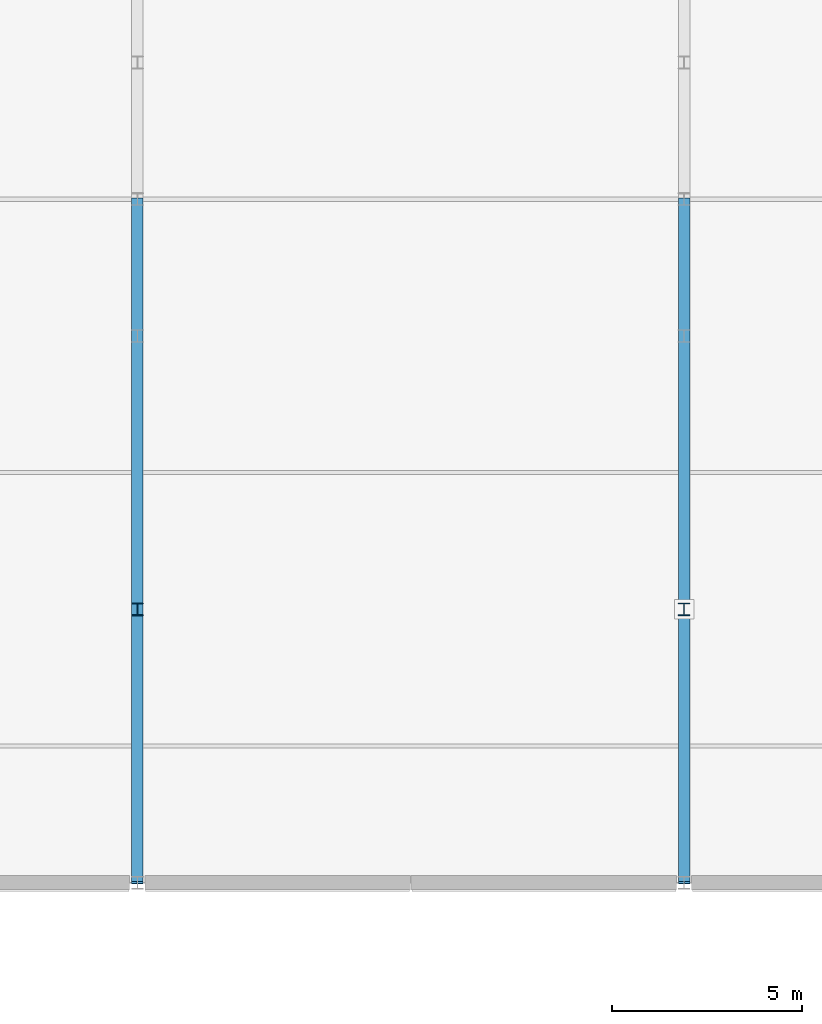
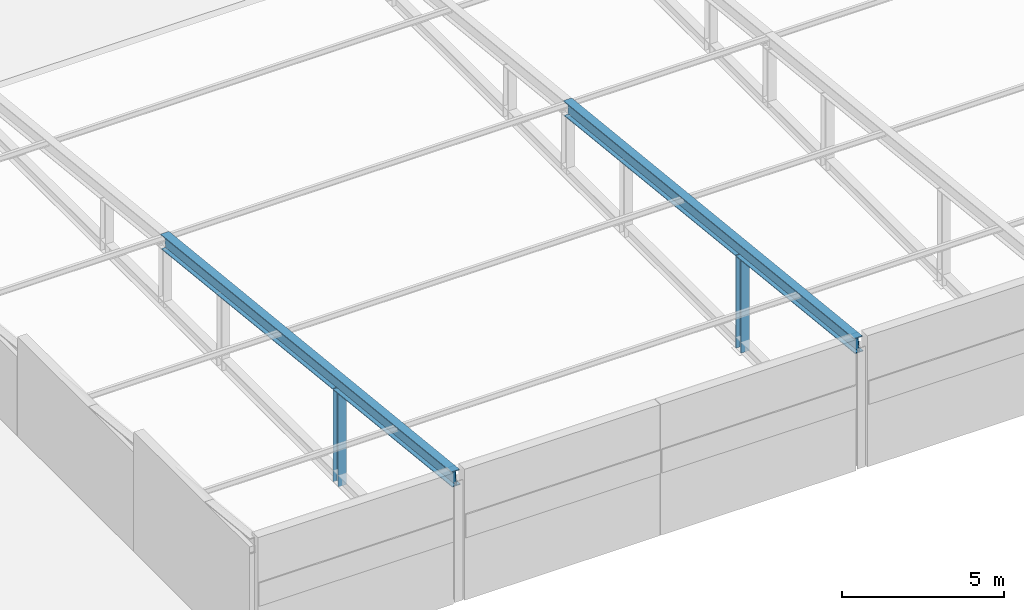
# One storey, part 20 of 103: 4 members.
"""IFC4 building model written with IfcOpenShell, lengths in metres."""

from ifc_helpers import new_model, si_unit, direction, frame, origin, origin_2d, place, context, subcontext, project, spatial, i_section, extrude, material, material_profile, profile_set, type_object, element, save


model = new_model("IFC4")

# Units and contexts
model_context = context("Model", 3, precision=1e-05, world=origin(), true_north=direction((0.0, 1.0)))
body_context = subcontext(model_context, "Body", "Model", "MODEL_VIEW")
ifc_project = project(units=[si_unit("LENGTHUNIT", "METRE"), si_unit("AREAUNIT", "SQUARE_METRE"), si_unit("VOLUMEUNIT", "CUBIC_METRE"), si_unit("PLANEANGLEUNIT", "RADIAN"), si_unit("MASSUNIT", "GRAM", prefix="KILO")], contexts=[model_context])

# Site, building, storey
site_placement = place(None, origin())
site = spatial("IfcSite", under=ifc_project, at=site_placement, CompositionType="ELEMENT")
building_placement = place(site_placement, origin())
building = spatial("IfcBuilding", under=site, at=building_placement, Name="Thalmaran Polytechnic", CompositionType="ELEMENT")
storey_placement = place(building_placement, frame((0.0, 0.0, 14.39990234375)))
storey = spatial("IfcBuildingStorey", under=building, at=storey_placement, Name="L03", CompositionType="ELEMENT", Elevation=14.39990234375)

# Members
ifc_material = material(Name="Steel S355", Category="steel")
ifc_material_profile_1 = material_profile(ifc_material, i_section(OverallWidth=0.300048828125, OverallDepth=0.550048828125, WebThickness=0.014892578125, FlangeThickness=0.029052734375, at=origin_2d()), Name="HEB 550")
ifc_profile_set_1 = profile_set([ifc_material_profile_1], Name="Steel S355")
member_type_1 = type_object("IfcMemberType", Name="MB-RAF1", PredefinedType="RAFTER", material=ifc_profile_set_1)
for number, where, z_axis, x_axis, name in (
    (1, (64.800048828125, 0.0, 4.550048828125), (0.0, 0.994329747654, -0.10634073975), (-1.0, 0.0, 0.0), "Lecture Raked Roof Rafter South G09"),
    (2, (79.199951171875, 0.0, 4.550048828125), (0.0, 0.994329747654, -0.10634073975), (-1.0, 0.0, 0.0), "Lecture Raked Roof Rafter South G11"),
):
    element("IfcMember", number, at=place(storey_placement, frame(where, z_axis=z_axis, x_axis=x_axis)), inside=storey, type_object=member_type_1, Name=name, PredefinedType="RAFTER", context=body_context, shape_type="SweptSolid", body=[
        extrude(i_section(OverallWidth=0.300048828125, OverallDepth=0.550048828125, WebThickness=0.014892578125, FlangeThickness=0.029052734375, at=origin_2d()), origin(), (0.0, 0.0, 1.0), 18.1025390625),
    ])
ifc_material_profile_2 = material_profile(ifc_material, i_section(OverallWidth=0.300048828125, OverallDepth=0.330078125, WebThickness=0.009521484375, FlangeThickness=0.0166015625, at=origin_2d()), Name="HEA 340")
ifc_profile_set_2 = profile_set([ifc_material_profile_2], Name="Steel S355")
member_type_2 = type_object("IfcMemberType", Name="MB-TRS1", PredefinedType="STRUT", material=ifc_profile_set_2)
member_1_placement = place(storey_placement, frame((64.800048828125, 7.199951171875, 0.0), z_axis=(0.0, 0.0, 1.0), x_axis=(1.0, 0.0, 0.0)))
element("IfcMember", 3, at=member_1_placement, inside=storey, type_object=member_type_2, Name="Lecture Truss Web Strut G09-7", PredefinedType="STRUT", context=body_context, shape_type="SweptSolid", body=[
    extrude(i_section(OverallWidth=0.300048828125, OverallDepth=0.330078125, WebThickness=0.009521484375, FlangeThickness=0.0166015625, at=origin_2d()), origin(), (0.0, 0.0, 1.0), 3.530029296875),
])
member_2_placement = place(storey_placement, frame((79.199951171875, 7.199951171875, 0.02001953125), z_axis=(0.0, 0.0, 1.0), x_axis=(1.0, 0.0, 0.0)))
element("IfcMember", 4, at=member_2_placement, inside=storey, type_object=member_type_2, Name="Lecture Truss Web Strut G11-7", PredefinedType="STRUT", context=body_context, shape_type="SweptSolid", body=[
    extrude(i_section(OverallWidth=0.300048828125, OverallDepth=0.330078125, WebThickness=0.009521484375, FlangeThickness=0.0166015625, at=origin_2d()), origin(), (0.0, 0.0, 1.0), 3.510009765625),
])

save(model, "model.ifc")
